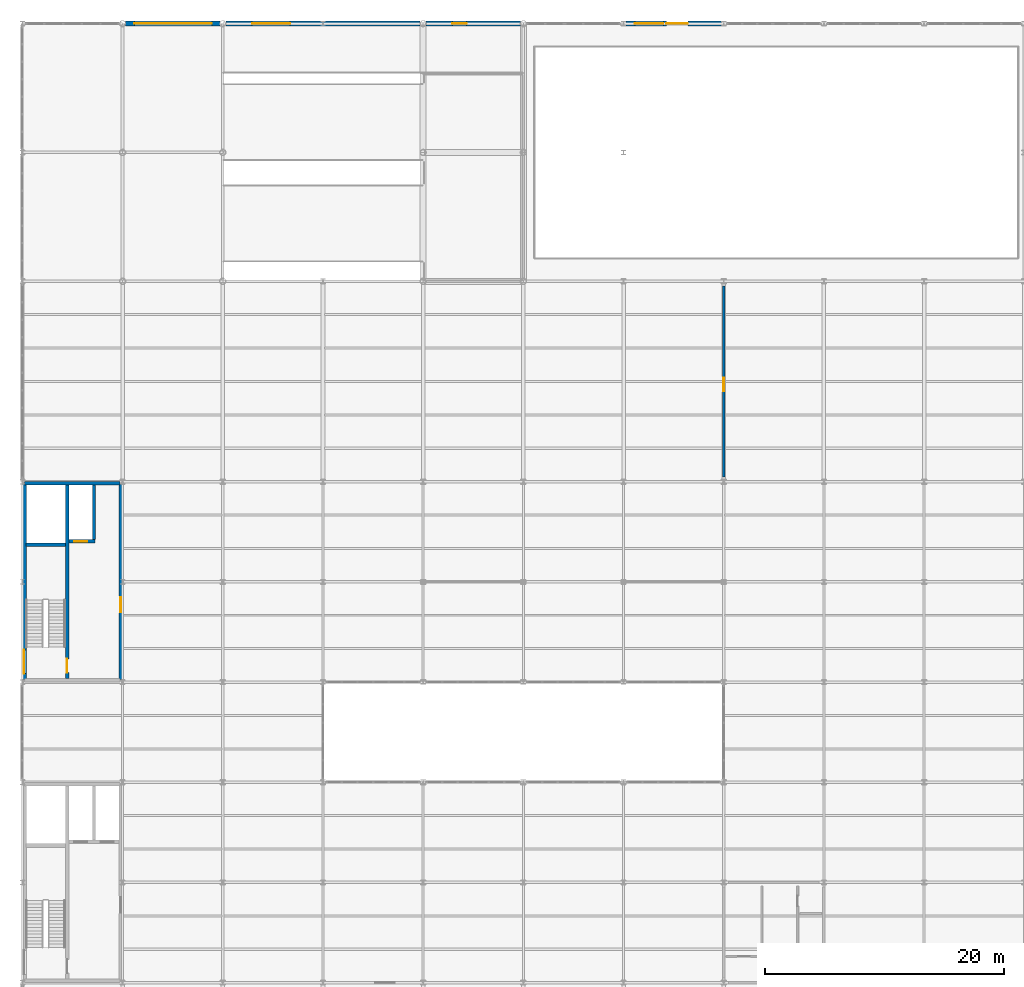
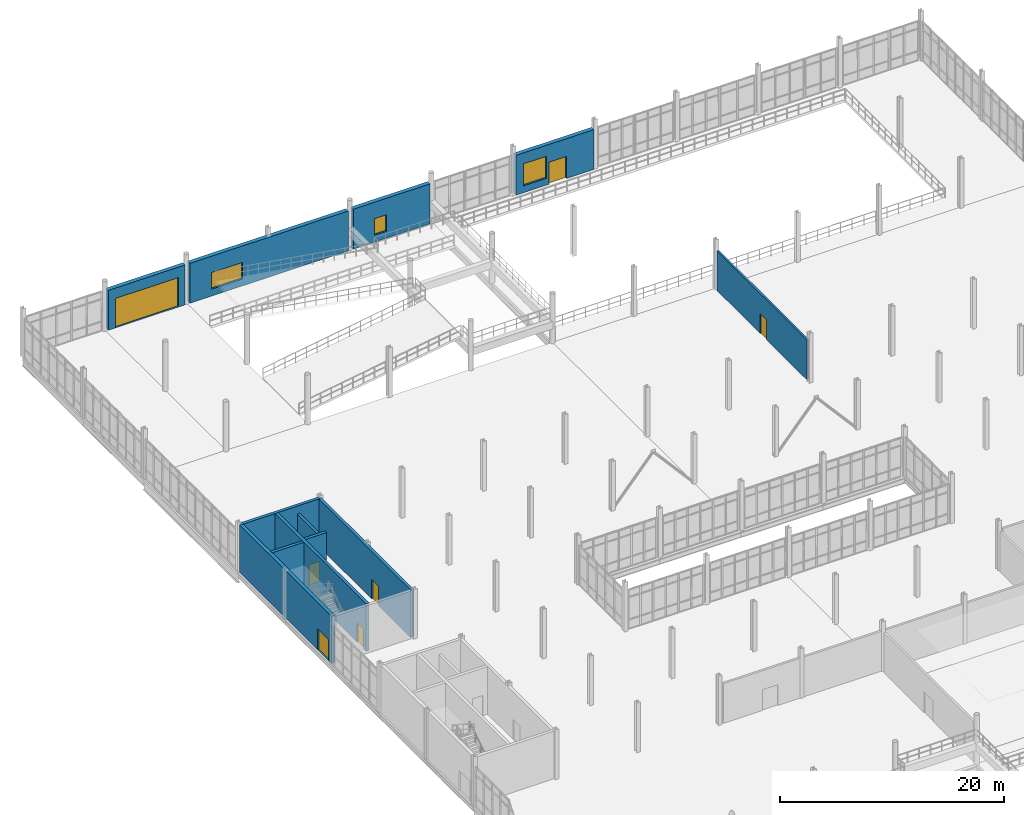
# One storey, part 99 of 111: 12 walls, 7 doors, 3 windows, 10 openings.
"""IFC4 building model written with IfcOpenShell, lengths in metres."""

from ifc_helpers import new_model, si_unit, direction, frame, frame_2d, origin, place, context, subcontext, project, spatial, rectangle, extrude, material, layer, layer_set, type_object, element, fill, save


model = new_model("IFC4")

# Units and contexts
model_context = context("Model", 3, precision=1e-05, world=origin(), true_north=direction((0.0, 1.0)))
body_context = subcontext(model_context, "Body", "Model", "MODEL_VIEW")
ifc_project = project(units=[si_unit("LENGTHUNIT", "METRE"), si_unit("AREAUNIT", "SQUARE_METRE"), si_unit("VOLUMEUNIT", "CUBIC_METRE"), si_unit("PLANEANGLEUNIT", "RADIAN"), si_unit("MASSUNIT", "GRAM", prefix="KILO"), si_unit("THERMODYNAMICTEMPERATUREUNIT", "KELVIN"), si_unit("POWERUNIT", "WATT")], contexts=[model_context])

# Site, building, storey
site_placement = place(None, origin())
site = spatial("IfcSite", under=ifc_project, at=site_placement, CompositionType="ELEMENT")
building_placement = place(site_placement, origin())
building = spatial("IfcBuilding", under=site, at=building_placement, Name="Tembeka Court Mobility Hub", CompositionType="ELEMENT")
storey_placement = place(building_placement, origin())
storey = spatial("IfcBuildingStorey", under=building, at=storey_placement, Name="L00", CompositionType="ELEMENT", Elevation=0.0)

# Wall, opening, door
ifc_material_1 = material(Name="Insulated Nairobi volcanic-tuff masonry", Category="masonry")
ifc_layer_1 = layer(ifc_material_1, 0.419921875)
ifc_layer_set_1 = layer_set([ifc_layer_1], Name="Insulated Nairobi volcanic-tuff masonry")
wall_type_1 = type_object("IfcWallType", Name="WL-EW01", PredefinedType="STANDARD", material=ifc_layer_set_1)
wall_1_placement = place(storey_placement, frame((8.652099609375, 118.800048828125, 0.0), z_axis=(0.0, 0.0, 1.0), x_axis=(1.0, 0.0, 0.0)))
wall_1 = element("IfcWall", 1, at=wall_1_placement, inside=storey, type_object=wall_type_1, Name="External wall EW01 (EW-L00-0059)", PredefinedType="STANDARD", context=body_context, shape_type="SweptSolid", body=[
    extrude(rectangle(XDim=7.89599609375, YDim=0.419921875, at=frame_2d((3.947998046875, 0.0))), origin(), (0.0, 0.0, 1.0), 4.3349609375),
])
opening_1_placement = place(wall_1_placement, frame((0.72998046875, 0.0, 0.0)))
opening_1 = element("IfcOpeningElement", 2, at=opening_1_placement, cuts=wall_1, Name="Opening VG01", PredefinedType="OPENING", context=body_context, shape_type="SweptSolid", body=[
    extrude(rectangle(XDim=6.5, YDim=3.199951171875, at=frame_2d((3.25, 1.60009765625))), frame((0.0, 0.219970703125, 0.0), z_axis=(0.0, -1.0, 0.0), x_axis=(1.0, 0.0, 0.0)), (0.0, 0.0, 1.0), 0.43994140625),
])
ifc_material_2 = material(Name="Galvanised steel fire/shutter doorset", Category="steel")
door_type_1 = type_object("IfcDoorType", Name="DR-VG01", OperationType="ROLLINGUP", PredefinedType="DOOR", material=ifc_material_2)
door_1_placement = place(opening_1_placement, origin())
door_1 = element("IfcDoor", 3, at=door_1_placement, inside=storey, type_object=door_type_1, Name="Car park vehicle roller shutter gate VG01", OperationType="ROLLINGUP", OverallHeight=3.199951171875, OverallWidth=6.5, PredefinedType="DOOR", context=body_context, shape_type="SweptSolid", body=[
    extrude(rectangle(XDim=6.5, YDim=3.199951171875, at=frame_2d((3.25, 1.60009765625))), frame((0.0, 0.02490234375, 0.0), z_axis=(0.0, -1.0, 0.0), x_axis=(1.0, 0.0, 0.0)), (0.0, 0.0, 1.0), 0.050048828125),
])
fill(opening_1, door_1)

# Wall, opening, window
wall_2_placement = place(storey_placement, frame((17.052001953125, 118.800048828125, 0.0), z_axis=(0.0, 0.0, 1.0), x_axis=(1.0, 0.0, 0.0)))
wall_2 = element("IfcWall", 4, at=wall_2_placement, inside=storey, type_object=wall_type_1, Name="External wall EW01 (EW-L00-0060)", PredefinedType="STANDARD", context=body_context, shape_type="SweptSolid", body=[
    extrude(rectangle(XDim=16.2958984375, YDim=0.419921875, at=frame_2d((8.14794921875, 0.0))), origin(), (0.0, 0.0, 1.0), 4.3349609375),
])
opening_2_placement = place(wall_2_placement, frame((2.199951171875, 0.0, 0.75)))
opening_2 = element("IfcOpeningElement", 5, at=opening_2_placement, cuts=wall_2, Name="Opening WN18", PredefinedType="OPENING", context=body_context, shape_type="SweptSolid", body=[
    extrude(rectangle(XDim=3.199951171875, YDim=1.800048828125, at=frame_2d((1.60009765625, 0.89990234375))), frame((0.0, 0.219970703125, 0.0), z_axis=(0.0, -1.0, 0.0), x_axis=(1.0, 0.0, 0.0)), (0.0, 0.0, 1.0), 0.43994140625),
])
ifc_material_3 = material(Name="Laminated solar-control low-E glass", Category="glass")
window_type_1 = type_object("IfcWindowType", Name="WN-W18", PartitioningType="SINGLE_PANEL", PredefinedType="WINDOW", material=ifc_material_3)
window_1_placement = place(opening_2_placement, origin())
window_1 = element("IfcWindow", 6, at=window_1_placement, inside=storey, type_object=window_type_1, Name="Window WN18-0005", OverallHeight=1.800048828125, OverallWidth=3.199951171875, PartitioningType="SINGLE_PANEL", PredefinedType="WINDOW", context=body_context, shape_type="SweptSolid", body=[
    extrude(rectangle(XDim=3.199951171875, YDim=1.800048828125, at=frame_2d((1.60009765625, 0.89990234375))), frame((0.0, 0.030029296875, 0.0), z_axis=(0.0, -1.0, 0.0), x_axis=(1.0, 0.0, 0.0)), (0.0, 0.0, 1.0), 0.06005859375),
])
fill(opening_2, window_1)

wall_3_placement = place(storey_placement, frame((33.85205078125, 118.800048828125, 0.0), z_axis=(0.0, 0.0, 1.0), x_axis=(1.0, 0.0, 0.0)))
wall_3 = element("IfcWall", 7, at=wall_3_placement, inside=storey, type_object=wall_type_1, Name="External wall EW01 (EW-L00-0061)", PredefinedType="STANDARD", context=body_context, shape_type="SweptSolid", body=[
    extrude(rectangle(XDim=7.89599609375, YDim=0.419921875, at=frame_2d((3.947998046875, 0.0))), origin(), (0.0, 0.0, 1.0), 4.3349609375),
])
opening_3_placement = place(wall_3_placement, frame((2.199951171875, 0.0, 0.75)))
opening_3 = element("IfcOpeningElement", 8, at=opening_3_placement, cuts=wall_3, Name="Opening WN19", PredefinedType="OPENING", context=body_context, shape_type="SweptSolid", body=[
    extrude(rectangle(XDim=1.199951171875, YDim=1.800048828125, at=frame_2d((0.60009765625, 0.89990234375))), frame((0.0, 0.219970703125, 0.0), z_axis=(0.0, -1.0, 0.0), x_axis=(1.0, 0.0, 0.0)), (0.0, 0.0, 1.0), 0.43994140625),
])
window_type_2 = type_object("IfcWindowType", Name="WN-W19", PartitioningType="SINGLE_PANEL", PredefinedType="WINDOW", material=ifc_material_3)
window_2_placement = place(opening_3_placement, origin())
window_2 = element("IfcWindow", 9, at=window_2_placement, inside=storey, type_object=window_type_2, Name="Window WN19-0006", OverallHeight=1.800048828125, OverallWidth=1.199951171875, PartitioningType="SINGLE_PANEL", PredefinedType="WINDOW", context=body_context, shape_type="SweptSolid", body=[
    extrude(rectangle(XDim=1.199951171875, YDim=1.800048828125, at=frame_2d((0.60009765625, 0.89990234375))), frame((0.0, 0.030029296875, 0.0), z_axis=(0.0, -1.0, 0.0), x_axis=(1.0, 0.0, 0.0)), (0.0, 0.0, 1.0), 0.06005859375),
])
fill(opening_3, window_2)

# Wall, openings, door, window
wall_4_placement = place(storey_placement, frame((50.597412109375, 118.800048828125, 0.0), z_axis=(0.0, 0.0, 1.0), x_axis=(1.0, 0.0, 0.0)))
wall_4 = element("IfcWall", 10, at=wall_4_placement, inside=storey, type_object=wall_type_1, Name="External wall EW01 (EW-L00-0067)", PredefinedType="STANDARD", context=body_context, shape_type="SweptSolid", body=[
    extrude(rectangle(XDim=8.005126953125, YDim=0.419921875, at=frame_2d((4.00244140625, 0.0))), origin(), (0.0, 0.0, 1.0), 4.3349609375),
])
opening_4_placement = place(wall_4_placement, frame((3.39990234375, 0.0, 0.0)))
opening_4 = element("IfcOpeningElement", 11, at=opening_4_placement, cuts=wall_4, Name="Opening E13", PredefinedType="OPENING", context=body_context, shape_type="SweptSolid", body=[
    extrude(rectangle(XDim=1.800048828125, YDim=2.39990234375, at=frame_2d((0.89990234375, 1.199951171875))), frame((0.0, 0.219970703125, 0.0), z_axis=(0.0, -1.0, 0.0), x_axis=(1.0, 0.0, 0.0)), (0.0, 0.0, 1.0), 0.43994140625),
])
opening_5_placement = place(wall_4_placement, frame((0.75, 0.0, 0.75)))
opening_5 = element("IfcOpeningElement", 12, at=opening_5_placement, cuts=wall_4, Name="Opening WN02", PredefinedType="OPENING", context=body_context, shape_type="SweptSolid", body=[
    extrude(rectangle(XDim=2.39990234375, YDim=2.39990234375, at=frame_2d((1.199951171875, 1.199951171875))), frame((0.0, 0.219970703125, 0.0), z_axis=(0.0, -1.0, 0.0), x_axis=(1.0, 0.0, 0.0)), (0.0, 0.0, 1.0), 0.43994140625),
])
ifc_material_4 = material(Name="Powder-coated aluminium glazed doorset", Category="aluminium")
door_type_2 = type_object("IfcDoorType", Name="DR-E13", OperationType="NOTDEFINED", PredefinedType="DOOR", material=ifc_material_4)
door_2_placement = place(opening_4_placement, origin())
door_2 = element("IfcDoor", 13, at=door_2_placement, inside=storey, type_object=door_type_2, Name="Final exit E13 bicycle mobility hall North", OperationType="DOUBLE_DOOR_SINGLE_SWING", OverallHeight=2.39990234375, OverallWidth=1.800048828125, PredefinedType="DOOR", context=body_context, shape_type="SweptSolid", body=[
    extrude(rectangle(XDim=1.800048828125, YDim=2.39990234375, at=frame_2d((0.89990234375, 1.199951171875))), frame((0.0, 0.02490234375, 0.0), z_axis=(0.0, -1.0, 0.0), x_axis=(1.0, 0.0, 0.0)), (0.0, 0.0, 1.0), 0.050048828125),
])
fill(opening_4, door_2)
window_type_3 = type_object("IfcWindowType", Name="WN-W02", PartitioningType="SINGLE_PANEL", PredefinedType="WINDOW", material=ifc_material_3)
window_3_placement = place(opening_5_placement, origin())
window_3 = element("IfcWindow", 14, at=window_3_placement, inside=storey, type_object=window_type_3, Name="Window WN02-0010", OverallHeight=2.39990234375, OverallWidth=2.39990234375, PartitioningType="SINGLE_PANEL", PredefinedType="WINDOW", context=body_context, shape_type="SweptSolid", body=[
    extrude(rectangle(XDim=2.39990234375, YDim=2.39990234375, at=frame_2d((1.199951171875, 1.199951171875))), frame((0.0, 0.030029296875, 0.0), z_axis=(0.0, -1.0, 0.0), x_axis=(1.0, 0.0, 0.0)), (0.0, 0.0, 1.0), 0.06005859375),
])
fill(opening_5, window_3)

# Wall
ifc_material_5 = material(Name="Concrete C40/50", Category="concrete")
ifc_layer_2 = layer(ifc_material_5, 0.25)
ifc_layer_set_2 = layer_set([ifc_layer_2], Name="Concrete C40/50")
wall_type_2 = type_object("IfcWallType", Name="WL-IW01", PredefinedType="PARTITIONING", material=ifc_layer_set_2)
wall_5_placement = place(storey_placement, frame((6.0, 75.550048828125, 0.0), z_axis=(0.0, 0.0, 1.0), x_axis=(0.0, 1.0, 0.0)))
element("IfcWall", 15, at=wall_5_placement, inside=storey, type_object=wall_type_2, Name="Wall IW01 (IW-L00-0144)", PredefinedType="PARTITIONING", context=body_context, shape_type="SweptSolid", body=[
    extrude(rectangle(XDim=4.550048828125, YDim=0.25, at=frame_2d((2.27490234375, 0.0))), origin(), (0.0, 0.0, 1.0), 4.324951171875),
])

# Wall, opening, door
ifc_material_6 = material(Name="Concrete blockwork masonry", Category="masonry")
ifc_layer_3 = layer(ifc_material_6, 0.199951171875)
ifc_layer_set_3 = layer_set([ifc_layer_3], Name="Concrete blockwork masonry")
wall_type_3 = type_object("IfcWallType", Name="WL-IW02", PredefinedType="PARTITIONING", material=ifc_layer_set_3)
wall_6_placement = place(storey_placement, frame((58.800048828125, 80.800048828125, 0.0), z_axis=(0.0, 0.0, 1.0), x_axis=(0.0, 1.0, 0.0)))
wall_6 = element("IfcWall", 16, at=wall_6_placement, inside=storey, type_object=wall_type_3, Name="Wall IW02 (IW-L00-0426)", PredefinedType="PARTITIONING", context=body_context, shape_type="SweptSolid", body=[
    extrude(rectangle(XDim=16.0, YDim=0.199951171875, at=frame_2d((8.0, 0.0))), origin(), (0.0, 0.0, 1.0), 4.324951171875),
])
opening_6_placement = place(wall_6_placement, frame((7.199951171875, 0.0, 0.0)))
opening_6 = element("IfcOpeningElement", 17, at=opening_6_placement, cuts=wall_6, Name="Opening ID07", PredefinedType="OPENING", context=body_context, shape_type="SweptSolid", body=[
    extrude(rectangle(XDim=1.1201171875, YDim=2.14990234375, at=frame_2d((0.56005859375, 1.074951171875))), frame((0.0, 0.10986328125, 0.0), z_axis=(0.0, -1.0, 0.0), x_axis=(1.0, 0.0, 0.0)), (0.0, 0.0, 1.0), 0.219970703125),
])
door_type_3 = type_object("IfcDoorType", Name="DR-ID07", OperationType="NOTDEFINED", PredefinedType="DOOR", material=ifc_material_4)
door_3_placement = place(opening_6_placement, origin())
door_3 = element("IfcDoor", 18, at=door_3_placement, inside=storey, type_object=door_type_3, Name="Door ID07-0199", OperationType="SINGLE_SWING_RIGHT", OverallHeight=2.14990234375, OverallWidth=1.1201171875, PredefinedType="DOOR", context=body_context, shape_type="SweptSolid", body=[
    extrude(rectangle(XDim=1.1201171875, YDim=2.14990234375, at=frame_2d((0.56005859375, 1.074951171875))), frame((0.0, 0.02490234375, 0.0), z_axis=(0.0, -1.0, 0.0), x_axis=(1.0, 0.0, 0.0)), (0.0, 0.0, 1.0), 0.050048828125),
])
fill(opening_6, door_3)

# Walls
ifc_layer_4 = layer(ifc_material_5, 0.300048828125)
ifc_layer_set_4 = layer_set([ifc_layer_4], Name="Concrete C40/50")
wall_type_4 = type_object("IfcWallType", Name="WL-SW01", PredefinedType="SHEAR", material=ifc_layer_set_4)
wall_7_placement = place(storey_placement, frame((0.197509765625, 80.25, 0.0), z_axis=(0.0, 0.0, 1.0), x_axis=(1.0, 0.0, 0.0)))
element("IfcWall", 19, at=wall_7_placement, inside=storey, type_object=wall_type_4, Name="Wall SW01 (IW-L00-0138)", PredefinedType="SHEAR", context=body_context, shape_type="SweptSolid", body=[
    extrude(rectangle(XDim=8.0048828125, YDim=0.300048828125, at=frame_2d((4.00244140625, 0.0))), origin(), (0.0, 0.0, 1.0), 5.179931640625),
])
wall_8_placement = place(storey_placement, frame((0.300048828125, 75.10009765625, 0.0), z_axis=(0.0, 0.0, 1.0), x_axis=(1.0, 0.0, 0.0)))
element("IfcWall", 20, at=wall_8_placement, inside=storey, type_object=wall_type_4, Name="Wall SW01 (IW-L00-0139)", PredefinedType="SHEAR", context=body_context, shape_type="SweptSolid", body=[
    extrude(rectangle(XDim=3.300048828125, YDim=0.300048828125, at=frame_2d((1.64990234375, 0.0))), origin(), (0.0, 0.0, 1.0), 5.179931640625),
])

# Wall, opening, door
wall_9_placement = place(storey_placement, frame((8.25, 63.794921875, 0.0), z_axis=(0.0, 0.0, 1.0), x_axis=(0.0, 1.0, 0.0)))
wall_9 = element("IfcWall", 21, at=wall_9_placement, inside=storey, type_object=wall_type_4, Name="Wall SW01 (IW-L00-0141)", PredefinedType="SHEAR", context=body_context, shape_type="SweptSolid", body=[
    extrude(rectangle(XDim=16.41015625, YDim=0.300048828125, at=frame_2d((8.205078125, 0.0))), origin(), (0.0, 0.0, 1.0), 5.179931640625),
])
opening_7_placement = place(wall_9_placement, frame((5.655029296875, 0.0, 0.0)))
opening_7 = element("IfcOpeningElement", 22, at=opening_7_placement, cuts=wall_9, Name="Opening FD01", PredefinedType="OPENING", context=body_context, shape_type="SweptSolid", body=[
    extrude(rectangle(XDim=1.25, YDim=2.14990234375, at=frame_2d((0.625, 1.074951171875))), frame((0.0, 0.16015625, 0.0), z_axis=(0.0, -1.0, 0.0), x_axis=(1.0, 0.0, 0.0)), (0.0, 0.0, 1.0), 0.320068359375),
])
door_type_4 = type_object("IfcDoorType", Name="DR-FD01", OperationType="NOTDEFINED", PredefinedType="DOOR", material=ifc_material_2)
door_4_placement = place(opening_7_placement, origin())
door_4 = element("IfcDoor", 23, at=door_4_placement, inside=storey, type_object=door_type_4, Name="Door FD01-0071", OperationType="SINGLE_SWING_LEFT", OverallHeight=2.14990234375, OverallWidth=1.25, PredefinedType="DOOR", context=body_context, shape_type="SweptSolid", body=[
    extrude(rectangle(XDim=1.25, YDim=2.14990234375, at=frame_2d((0.625, 1.074951171875))), frame((0.0, 0.02490234375, 0.0), z_axis=(0.0, -1.0, 0.0), x_axis=(1.0, 0.0, 0.0)), (0.0, 0.0, 1.0), 0.050048828125),
])
fill(opening_7, door_4)

wall_10_placement = place(storey_placement, frame((3.75, 63.89990234375, 0.0), z_axis=(0.0, 0.0, 1.0), x_axis=(0.0, 1.0, 0.0)))
wall_10 = element("IfcWall", 24, at=wall_10_placement, inside=storey, type_object=wall_type_4, Name="Wall SW01 (IW-L00-0142)", PredefinedType="SHEAR", context=body_context, shape_type="SweptSolid", body=[
    extrude(rectangle(XDim=16.2001953125, YDim=0.300048828125, at=frame_2d((8.10009765625, 0.0))), origin(), (0.0, 0.0, 1.0), 5.179931640625),
])
opening_8_placement = place(wall_10_placement, frame((0.5, 0.0, 0.0)))
opening_8 = element("IfcOpeningElement", 25, at=opening_8_placement, cuts=wall_10, Name="Opening FD03", PredefinedType="OPENING", context=body_context, shape_type="SweptSolid", body=[
    extrude(rectangle(XDim=1.14990234375, YDim=2.14990234375, at=frame_2d((0.574951171875, 1.074951171875))), frame((0.0, 0.16015625, 0.0), z_axis=(0.0, -1.0, 0.0), x_axis=(1.0, 0.0, 0.0)), (0.0, 0.0, 1.0), 0.320068359375),
])
door_type_5 = type_object("IfcDoorType", Name="DR-FD03", OperationType="NOTDEFINED", PredefinedType="DOOR", material=ifc_material_2)
door_5_placement = place(opening_8_placement, frame((1.14990234375, 0.0, 0.0), z_axis=(0.0, 0.0, 1.0), x_axis=(-1.0, 0.0, 0.0)))
door_5 = element("IfcDoor", 26, at=door_5_placement, inside=storey, type_object=door_type_5, Name="Door FD03-0072", OperationType="SINGLE_SWING_LEFT", OverallHeight=2.14990234375, OverallWidth=1.14990234375, PredefinedType="DOOR", context=body_context, shape_type="SweptSolid", body=[
    extrude(rectangle(XDim=1.14990234375, YDim=2.14990234375, at=frame_2d((0.574951171875, 1.074951171875))), frame((0.0, 0.02490234375, 0.0), z_axis=(0.0, -1.0, 0.0), x_axis=(1.0, 0.0, 0.0)), (0.0, 0.0, 1.0), 0.050048828125),
])
fill(opening_8, door_5)

wall_11_placement = place(storey_placement, frame((3.89990234375, 75.39990234375, 0.0), z_axis=(0.0, 0.0, 1.0), x_axis=(1.0, 0.0, 0.0)))
wall_11 = element("IfcWall", 27, at=wall_11_placement, inside=storey, type_object=wall_type_4, Name="Wall SW01 (IW-L00-0143)", PredefinedType="SHEAR", context=body_context, shape_type="SweptSolid", body=[
    extrude(rectangle(XDim=2.2001953125, YDim=0.300048828125, at=frame_2d((1.10009765625, 0.0))), origin(), (0.0, 0.0, 1.0), 5.179931640625),
])
opening_9_placement = place(wall_11_placement, frame((0.449951171875, 0.0, 0.0)))
opening_9 = element("IfcOpeningElement", 28, at=opening_9_placement, cuts=wall_11, Name="Opening LD01", PredefinedType="OPENING", context=body_context, shape_type="SweptSolid", body=[
    extrude(rectangle(XDim=1.10009765625, YDim=2.199951171875, at=frame_2d((0.550048828125, 1.10009765625))), frame((0.0, 0.16015625, 0.0), z_axis=(0.0, -1.0, 0.0), x_axis=(1.0, 0.0, 0.0)), (0.0, 0.0, 1.0), 0.320068359375),
])
door_type_6 = type_object("IfcDoorType", Name="DR-LD01", OperationType="SLIDING_TO_LEFT", PredefinedType="DOOR", material=ifc_material_2)
door_6_placement = place(opening_9_placement, origin())
door_6 = element("IfcDoor", 29, at=door_6_placement, inside=storey, type_object=door_type_6, Name="Lift LF05 landing door L00", OperationType="SLIDING_TO_LEFT", OverallHeight=2.199951171875, OverallWidth=1.10009765625, PredefinedType="DOOR", context=body_context, shape_type="SweptSolid", body=[
    extrude(rectangle(XDim=1.10009765625, YDim=2.199951171875, at=frame_2d((0.550048828125, 1.10009765625))), frame((0.0, 0.02490234375, 0.0), z_axis=(0.0, -1.0, 0.0), x_axis=(1.0, 0.0, 0.0)), (0.0, 0.0, 1.0), 0.050048828125),
])
fill(opening_9, door_6)

ifc_layer_5 = layer(ifc_material_5, 0.35009765625)
ifc_layer_set_5 = layer_set([ifc_layer_5], Name="Concrete C40/50")
wall_type_5 = type_object("IfcWallType", Name="WL-SW02", PredefinedType="SHEAR", material=ifc_layer_set_5)
wall_12_placement = place(storey_placement, frame((0.14990234375, 63.794921875, 0.0), z_axis=(0.0, 0.0, 1.0), x_axis=(0.0, 1.0, 0.0)))
wall_12 = element("IfcWall", 30, at=wall_12_placement, inside=storey, type_object=wall_type_5, Name="Wall SW02 (IW-L00-0140)", PredefinedType="SHEAR", context=body_context, shape_type="SweptSolid", body=[
    extrude(rectangle(XDim=16.41015625, YDim=0.35009765625, at=frame_2d((8.205078125, 0.0))), origin(), (0.0, 0.0, 1.0), 5.179931640625),
])
opening_10_placement = place(wall_12_placement, frame((0.5048828125, 0.0, 0.0)))
opening_10 = element("IfcOpeningElement", 31, at=opening_10_placement, cuts=wall_12, Name="Opening E03", PredefinedType="OPENING", context=body_context, shape_type="SweptSolid", body=[
    extrude(rectangle(XDim=2.0, YDim=2.280029296875, at=frame_2d((1.0, 1.14013671875))), frame((0.0, 0.18505859375, 0.0), z_axis=(0.0, -1.0, 0.0), x_axis=(1.0, 0.0, 0.0)), (0.0, 0.0, 1.0), 0.3701171875),
])
door_type_7 = type_object("IfcDoorType", Name="DR-E03", OperationType="NOTDEFINED", PredefinedType="DOOR", material=ifc_material_4)
door_7_placement = place(opening_10_placement, origin())
door_7 = element("IfcDoor", 32, at=door_7_placement, inside=storey, type_object=door_type_7, Name="Final exit E03 from Stair ST03", OperationType="DOUBLE_DOOR_SINGLE_SWING", OverallHeight=2.280029296875, OverallWidth=2.0, PredefinedType="DOOR", context=body_context, shape_type="SweptSolid", body=[
    extrude(rectangle(XDim=2.0, YDim=2.280029296875, at=frame_2d((1.0, 1.14013671875))), frame((0.0, 0.02490234375, 0.0), z_axis=(0.0, -1.0, 0.0), x_axis=(1.0, 0.0, 0.0)), (0.0, 0.0, 1.0), 0.050048828125),
])
fill(opening_10, door_7)

save(model, "model.ifc")
